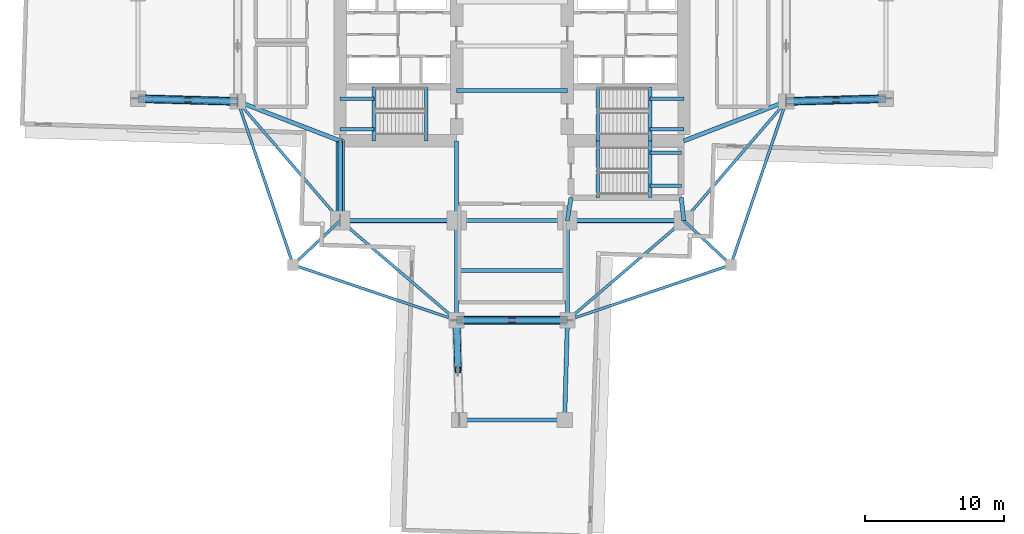
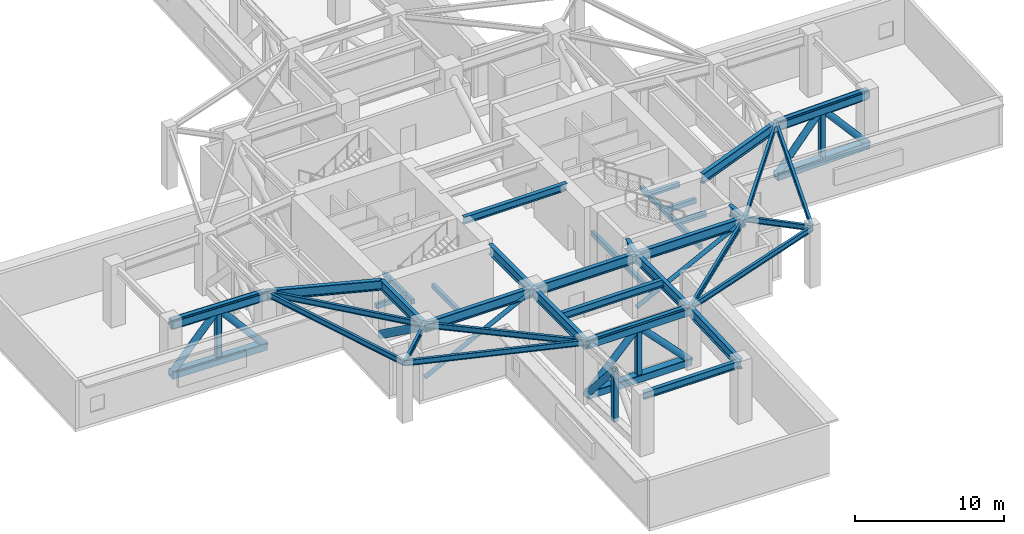
# One storey, part 2 of 17: 40 beams, 20 members.
"""IFC4 building model written with IfcOpenShell, lengths in metres."""

from ifc_helpers import new_model, si_unit, direction, frame, origin, origin_2d, place, context, subcontext, project, spatial, rectangle, hollow_rectangle, hollow_circle, i_section, extrude, material, material_profile, profile_set, type_object, element, save


model = new_model("IFC4")

# Units and contexts
model_context = context("Model", 3, precision=1e-05, world=origin(), true_north=direction((0.0, 1.0)))
body_context = subcontext(model_context, "Body", "Model", "MODEL_VIEW")
ifc_project = project(units=[si_unit("LENGTHUNIT", "METRE"), si_unit("AREAUNIT", "SQUARE_METRE"), si_unit("VOLUMEUNIT", "CUBIC_METRE"), si_unit("PLANEANGLEUNIT", "RADIAN"), si_unit("MASSUNIT", "GRAM", prefix="KILO")], contexts=[model_context])

# Site, building, storey
site_placement = place(None, origin())
site = spatial("IfcSite", under=ifc_project, at=site_placement, CompositionType="ELEMENT")
building_placement = place(site_placement, origin())
building = spatial("IfcBuilding", under=site, at=building_placement, Name="Qingluan Cross Belvedere", CompositionType="ELEMENT")
storey_placement = place(building_placement, frame((0.0, 0.0, 95.10009765625)))
storey = spatial("IfcBuildingStorey", under=building, at=storey_placement, Name="L24", CompositionType="ELEMENT", Elevation=95.10009765625)

# Beams
ifc_material_1 = material(Name="Concrete C45", Category="concrete")
ifc_material_profile_1 = material_profile(ifc_material_1, rectangle(XDim=0.25, YDim=0.39990234375, at=origin_2d()), Name="RC250x400")
ifc_profile_set_1 = profile_set([ifc_material_profile_1], Name="Concrete C45")
beam_type_1 = type_object("IfcBeamType", Name="RC_Lintel_RC250x400", PredefinedType="LINTEL", material=ifc_profile_set_1)
for number, where, z_axis, x_axis, name in (
    (1, (-6.179931640625, -6.85009765625, -0.2001953125), (0.0, 1.0, 0.0), (-1.0, 0.0, 0.0), "Stair ST1 landing beam L24"),
    (2, (6.179931640625, -6.85009765625, -0.2001953125), (0.0, 1.0, 0.0), (-1.0, 0.0, 0.0), "Stair ST2 landing beam L24"),
):
    element("IfcBeam", number, at=place(storey_placement, frame(where, z_axis=z_axis, x_axis=x_axis)), inside=storey, type_object=beam_type_1, Name=name, PredefinedType="LINTEL", context=body_context, shape_type="SweptSolid", body=[
        extrude(rectangle(XDim=0.25, YDim=0.39990234375, at=origin_2d()), origin(), (0.0, 0.0, 1.0), 3.89013671875),
    ])
beam_1_placement = place(storey_placement, frame((6.179931640625, -10.93994140625, -0.2001953125), z_axis=(0.0, 1.0, 0.0), x_axis=(-1.0, 0.0, 0.0)))
element("IfcBeam", 3, at=beam_1_placement, inside=storey, type_object=beam_type_1, Name="Stair ST4 landing beam L24", PredefinedType="LINTEL", context=body_context, shape_type="SweptSolid", body=[
    extrude(rectangle(XDim=0.25, YDim=0.39990234375, at=origin_2d()), origin(), (0.0, 0.0, 1.0), 4.08984375),
])
beam_2_placement = place(storey_placement, frame((-9.969970703125, -6.85009765625, 2.14990234375), z_axis=(0.0, 1.0, 0.0), x_axis=(-1.0, 0.0, 0.0)))
element("IfcBeam", 4, at=beam_2_placement, inside=storey, type_object=beam_type_1, Name="Stair ST1 beam A L24", PredefinedType="LINTEL", context=body_context, shape_type="SweptSolid", body=[
    extrude(rectangle(XDim=0.25, YDim=0.39990234375, at=origin_2d()), origin(), (0.0, 0.0, 1.0), 3.89013671875),
])
for number, where, z_axis, x_axis, name in (
    (5, (-12.39990234375, -6.0, 2.14990234375), (1.0, 0.0, 0.0), (0.0, 1.0, 0.0), "Stair ST1 beam B L24"),
    (6, (-12.39990234375, -3.81005859375, 2.14990234375), (1.0, 0.0, 0.0), (0.0, 1.0, 0.0), "Stair ST1 beam C L24"),
):
    element("IfcBeam", number, at=place(storey_placement, frame(where, z_axis=z_axis, x_axis=x_axis)), inside=storey, type_object=beam_type_1, Name=name, PredefinedType="LINTEL", context=body_context, shape_type="SweptSolid", body=[
        extrude(rectangle(XDim=0.25, YDim=0.39990234375, at=origin_2d()), origin(), (0.0, 0.0, 1.0), 2.429931640625),
    ])
beam_3_placement = place(storey_placement, frame((9.969970703125, -6.85009765625, 2.14990234375), z_axis=(0.0, 1.0, 0.0), x_axis=(-1.0, 0.0, 0.0)))
element("IfcBeam", 7, at=beam_3_placement, inside=storey, type_object=beam_type_1, Name="Stair ST2 beam A L24", PredefinedType="LINTEL", context=body_context, shape_type="SweptSolid", body=[
    extrude(rectangle(XDim=0.25, YDim=0.39990234375, at=origin_2d()), origin(), (0.0, 0.0, 1.0), 3.89013671875),
])
for number, where, z_axis, x_axis, name in (
    (8, (12.39990234375, -6.0, 2.14990234375), (-1.0, 0.0, 0.0), (0.0, -1.0, 0.0), "Stair ST2 beam B L24"),
    (9, (12.39990234375, -3.81005859375, 2.14990234375), (-1.0, 0.0, 0.0), (0.0, -1.0, 0.0), "Stair ST2 beam C L24"),
):
    element("IfcBeam", number, at=place(storey_placement, frame(where, z_axis=z_axis, x_axis=x_axis)), inside=storey, type_object=beam_type_1, Name=name, PredefinedType="LINTEL", context=body_context, shape_type="SweptSolid", body=[
        extrude(rectangle(XDim=0.25, YDim=0.39990234375, at=origin_2d()), origin(), (0.0, 0.0, 1.0), 2.429931640625),
    ])
beam_4_placement = place(storey_placement, frame((9.969970703125, -10.93994140625, 2.14990234375), z_axis=(0.0, 1.0, 0.0), x_axis=(-1.0, 0.0, 0.0)))
element("IfcBeam", 10, at=beam_4_placement, inside=storey, type_object=beam_type_1, Name="Stair ST4 beam A L24", PredefinedType="LINTEL", context=body_context, shape_type="SweptSolid", body=[
    extrude(rectangle(XDim=0.25, YDim=0.39990234375, at=origin_2d()), origin(), (0.0, 0.0, 1.0), 4.08984375),
])
for number, where, z_axis, x_axis, name in (
    (11, (12.219970703125, -10.090087890625, 2.14990234375), (-1.0, 0.0, 0.0), (0.0, -1.0, 0.0), "Stair ST4 beam B L24"),
    (12, (12.219970703125, -7.699951171875, 2.14990234375), (-1.0, 0.0, 0.0), (0.0, -1.0, 0.0), "Stair ST4 beam C L24"),
):
    element("IfcBeam", number, at=place(storey_placement, frame(where, z_axis=z_axis, x_axis=x_axis)), inside=storey, type_object=beam_type_1, Name=name, PredefinedType="LINTEL", context=body_context, shape_type="SweptSolid", body=[
        extrude(rectangle(XDim=0.25, YDim=0.39990234375, at=origin_2d()), origin(), (0.0, 0.0, 1.0), 2.25),
    ])

# Members
ifc_material_2 = material(Name="Steel Q420GJB", Category="steel")
ifc_material_profile_2 = material_profile(ifc_material_2, hollow_circle(Radius=0.25390625, WallThickness=0.02197265625, at=origin_2d()), Name="CHS508x22")
ifc_profile_set_2 = profile_set([ifc_material_profile_2], Name="Steel Q420GJB")
member_type_1 = type_object("IfcMemberType", Name="SteelMember_BRACE_CHS508x22", PredefinedType="BRACE", material=ifc_profile_set_2)
for number, where, z_axis, x_axis, name in (
    (13, (-4.0, -19.800048828125, 0.349853515625), (0.6939623188, 0.0, 0.720011319415), (0.0, 1.0, 0.0), "Belt truss diagonal A L24-S"),
    (14, (4.0, -19.800048828125, 0.349853515625), (-0.6939623188, 0.0, 0.720011319415), (0.0, -1.0, 0.0), "Belt truss diagonal B L24-S"),
):
    element("IfcMember", number, at=place(storey_placement, frame(where, z_axis=z_axis, x_axis=x_axis)), inside=storey, type_object=member_type_1, Name=name, PredefinedType="BRACE", context=body_context, shape_type="SweptSolid", body=[
        extrude(hollow_circle(Radius=0.25390625, WallThickness=0.02197265625, at=origin_2d()), origin(), (0.0, 0.0, 1.0), 5.763916015625),
    ])
for number, where, z_axis, x_axis, name in (
    (15, (19.800048828125, -4.0, 0.349853515625), (0.655139811939, 0.018216841159, 0.755288006995), (-0.027795292699, 0.999613636213, 0.0), "Belt truss diagonal A L24-EE"),
    (16, (27.0, -3.800048828125, 0.349853515625), (-0.655165701478, -0.018171895558, 0.755266632268), (0.027725672588, -0.999615569646, 0.0), "Belt truss diagonal B L24-EE"),
    (17, (-19.800048828125, -4.0, 0.349853515625), (-0.655139811939, 0.018216841159, 0.755288006995), (-0.027795292699, -0.999613636213, 0.0), "Belt truss diagonal A L24-WW"),
    (18, (-27.0, -3.800048828125, 0.349853515625), (0.655165701478, -0.018171895558, 0.755266632268), (0.027725672588, 0.999615569646, 0.0), "Belt truss diagonal B L24-WW"),
    (19, (-4.0, -19.800048828125, 0.349853515625), (0.018216841159, -0.655139811939, 0.755288006995), (0.999613636213, 0.027795292699, 0.0), "Belt truss diagonal A L24-SS"),
):
    element("IfcMember", number, at=place(storey_placement, frame(where, z_axis=z_axis, x_axis=x_axis)), inside=storey, type_object=member_type_1, Name=name, PredefinedType="BRACE", context=body_context, shape_type="SweptSolid", body=[
        extrude(hollow_circle(Radius=0.25390625, WallThickness=0.02197265625, at=origin_2d()), origin(), (0.0, 0.0, 1.0), 5.494873046875),
    ])
ifc_material_3 = material(Name="Steel Q420GJB", Category="steel")
ifc_material_profile_3 = material_profile(ifc_material_3, hollow_circle(Radius=0.304931640625, WallThickness=0.028076171875, at=origin_2d()), Name="CHS610x28")
ifc_profile_set_3 = profile_set([ifc_material_profile_3], Name="Steel Q420GJB")
member_type_2 = type_object("IfcMemberType", Name="SteelMember_BRACE_CHS610x28", PredefinedType="BRACE", material=ifc_profile_set_3)
member_placement = place(storey_placement, frame((-12.39990234375, -6.85009765625, 0.349853515625), z_axis=(0.0, -0.810855313774, 0.585246666052), x_axis=(1.0, 0.0, 0.0)))
element("IfcMember", 20, at=member_placement, inside=storey, type_object=member_type_2, Name="Outrigger truss diagonal L24-OWS", PredefinedType="BRACE", context=body_context, shape_type="SweptSolid", body=[
    extrude(hollow_circle(Radius=0.304931640625, WallThickness=0.028076171875, at=origin_2d()), origin(), (0.0, 0.0, 1.0), 7.09130859375),
])
ifc_material_4 = material(Name="Steel Q420GJB", Category="steel")
ifc_material_profile_4 = material_profile(ifc_material_4, hollow_rectangle(XDim=0.60009765625, YDim=0.60009765625, WallThickness=0.028076171875, InnerFilletRadius=0.028076171875, OuterFilletRadius=0.055908203125, at=origin_2d()), Name="RHS600x600x28")
ifc_profile_set_4 = profile_set([ifc_material_profile_4], Name="Steel Q420GJB")
member_type_3 = type_object("IfcMemberType", Name="SteelMember_CHORD_RHS600x600x28", PredefinedType="CHORD", material=ifc_profile_set_4)
for number, where, z_axis, x_axis, name in (
    (21, (-4.0, -19.800048828125, 0.349853515625), (1.0, 0.0, 0.0), (0.0, 1.0, 0.0), "Belt truss bottom chord L24-S"),
    (22, (-4.0, -19.800048828125, 4.5), (1.0, 0.0, 0.0), (0.0, 1.0, 0.0), "Belt truss top chord L24-S"),
):
    element("IfcMember", number, at=place(storey_placement, frame(where, z_axis=z_axis, x_axis=x_axis)), inside=storey, type_object=member_type_3, Name=name, PredefinedType="CHORD", context=body_context, shape_type="SweptSolid", body=[
        extrude(hollow_rectangle(XDim=0.60009765625, YDim=0.60009765625, WallThickness=0.028076171875, InnerFilletRadius=0.028076171875, OuterFilletRadius=0.055908203125, at=origin_2d()), origin(), (0.0, 0.0, 1.0), 8.0),
    ])
for number, where, z_axis, x_axis, name in (
    (23, (19.800048828125, -4.0, 0.349853515625), (0.999614603568, 0.027760481514, 0.0), (-0.027760481514, 0.999614603568, 0.0), "Belt truss bottom chord L24-EE"),
    (24, (19.800048828125, -4.0, 4.5), (0.999614603568, 0.027760481514, 0.0), (-0.027760481514, 0.999614603568, 0.0), "Belt truss top chord L24-EE"),
    (25, (-19.800048828125, -4.0, 0.349853515625), (-0.999614603568, 0.027760481514, 0.0), (-0.027760481514, -0.999614603568, 0.0), "Belt truss bottom chord L24-WW"),
    (26, (-19.800048828125, -4.0, 4.5), (-0.999614603568, 0.027760481514, 0.0), (-0.027760481514, -0.999614603568, 0.0), "Belt truss top chord L24-WW"),
):
    element("IfcMember", number, at=place(storey_placement, frame(where, z_axis=z_axis, x_axis=x_axis)), inside=storey, type_object=member_type_3, Name=name, PredefinedType="CHORD", context=body_context, shape_type="SweptSolid", body=[
        extrude(hollow_rectangle(XDim=0.60009765625, YDim=0.60009765625, WallThickness=0.028076171875, InnerFilletRadius=0.028076171875, OuterFilletRadius=0.055908203125, at=origin_2d()), origin(), (0.0, 0.0, 1.0), 7.20263671875),
    ])
ifc_material_5 = material(Name="Steel Q420GJB", Category="steel")
ifc_material_profile_5 = material_profile(ifc_material_5, hollow_rectangle(XDim=0.39990234375, YDim=0.39990234375, WallThickness=0.02001953125, InnerFilletRadius=0.02001953125, OuterFilletRadius=0.0400390625, at=origin_2d()), Name="RHS400x400x20")
ifc_profile_set_5 = profile_set([ifc_material_profile_5], Name="Steel Q420GJB")
member_type_4 = type_object("IfcMemberType", Name="SteelMember_POST_RHS400x400x20", PredefinedType="POST", material=ifc_profile_set_5)
for number, where, z_axis, x_axis, name in (
    (27, (0.0, -19.800048828125, 0.349853515625), (0.0, 0.0, 1.0), (1.0, 0.0, 0.0), "Belt truss mid-post L24-S"),
    (28, (23.39990234375, -3.89990234375, 0.349853515625), (0.0, 0.0, 1.0), (1.0, 0.0, 0.0), "Belt truss mid-post L24-EE"),
    (29, (-23.39990234375, -3.89990234375, 0.349853515625), (0.0, 0.0, 1.0), (1.0, 0.0, 0.0), "Belt truss mid-post L24-WW"),
    (30, (-3.89990234375, -23.39990234375, 0.349853515625), (0.0, 0.0, 1.0), (1.0, 0.0, 0.0), "Belt truss mid-post L24-SS"),
):
    element("IfcMember", number, at=place(storey_placement, frame(where, z_axis=z_axis, x_axis=x_axis)), inside=storey, type_object=member_type_4, Name=name, PredefinedType="POST", context=body_context, shape_type="SweptSolid", body=[
        extrude(hollow_rectangle(XDim=0.39990234375, YDim=0.39990234375, WallThickness=0.02001953125, InnerFilletRadius=0.02001953125, OuterFilletRadius=0.0400390625, at=origin_2d()), origin(), (0.0, 0.0, 1.0), 4.150146484375),
    ])
ifc_material_6 = material(Name="Steel Q420GJB", Category="steel")
ifc_material_profile_6 = material_profile(ifc_material_6, hollow_circle(Radius=0.16259765625, WallThickness=0.013916015625, at=origin_2d()), Name="CHS325x14")
ifc_profile_set_6 = profile_set([ifc_material_profile_6], Name="Steel Q420GJB")
member_type_5 = type_object("IfcMemberType", Name="SteelMember_STRUT_CHS325x14", PredefinedType="STRUT", material=ifc_profile_set_6)
for number, where, z_axis, x_axis, name in (
    (31, (-12.39990234375, -12.60009765625, 0.2998046875), (0.892290477913, 0.0, 0.45146174038), (0.0, 1.0, 0.0), "Refuge hub lateral strut L24-SW"),
    (32, (4.0, -12.60009765625, 0.2998046875), (0.892290477913, 0.0, 0.45146174038), (0.0, 1.0, 0.0), "Refuge hub lateral strut L24-SE"),
):
    element("IfcMember", number, at=place(storey_placement, frame(where, z_axis=z_axis, x_axis=x_axis)), inside=storey, type_object=member_type_5, Name=name, PredefinedType="STRUT", context=body_context, shape_type="SweptSolid", body=[
        extrude(hollow_circle(Radius=0.16259765625, WallThickness=0.013916015625, at=origin_2d()), origin(), (0.0, 0.0, 1.0), 9.413818359375),
    ])

# Beams
ifc_material_7 = material(Name="Steel Q420GJB", Category="steel")
ifc_material_profile_7 = material_profile(ifc_material_7, i_section(OverallWidth=0.300048828125, OverallDepth=0.587890625, WebThickness=0.011962890625, FlangeThickness=0.02001953125, FilletRadius=0.02392578125, at=origin_2d()), Name="HM588x300x12x20")
ifc_profile_set_7 = profile_set([ifc_material_profile_7], Name="Steel Q420GJB")
beam_type_2 = type_object("IfcBeamType", Name="Steel_Beam_HM588x300x12x20", PredefinedType="BEAM", material=ifc_profile_set_7)
for number, where, z_axis, x_axis, name in (
    (33, (-4.0, -3.199951171875, 4.555908203125), (1.0, 0.0, 0.0), (0.0, 1.0, 0.0), "Hall beam L24-CH1"),
    (34, (-4.0, -19.800048828125, 4.555908203125), (1.0, 0.0, 0.0), (0.0, 1.0, 0.0), "Arm S tie L24"),
    (35, (-4.0, -16.199951171875, 4.555908203125), (1.0, 0.0, 0.0), (0.0, 1.0, 0.0), "Arm S beam L24"),
):
    element("IfcBeam", number, at=place(storey_placement, frame(where, z_axis=z_axis, x_axis=x_axis)), inside=storey, type_object=beam_type_2, Name=name, PredefinedType="BEAM", context=body_context, shape_type="SweptSolid", body=[
        extrude(i_section(OverallWidth=0.300048828125, OverallDepth=0.587890625, WebThickness=0.011962890625, FlangeThickness=0.02001953125, FilletRadius=0.02392578125, at=origin_2d()), origin(), (0.0, 0.0, 1.0), 8.0),
    ])
beam_5_placement = place(storey_placement, frame((-3.800048828125, -27.0, 4.555908203125), z_axis=(1.0, 0.0, 0.0), x_axis=(0.0, 1.0, 0.0)))
element("IfcBeam", 36, at=beam_5_placement, inside=storey, type_object=beam_type_2, Name="Arm S tip transverse beam L24", PredefinedType="BEAM", context=body_context, shape_type="SweptSolid", body=[
    extrude(i_section(OverallWidth=0.300048828125, OverallDepth=0.587890625, WebThickness=0.011962890625, FlangeThickness=0.02001953125, FilletRadius=0.02392578125, at=origin_2d()), origin(), (0.0, 0.0, 1.0), 7.60009765625),
])
ifc_material_8 = material(Name="Steel Q420GJB", Category="steel")
ifc_material_profile_8 = material_profile(ifc_material_8, i_section(OverallWidth=0.199951171875, OverallDepth=0.449951171875, WebThickness=0.009033203125, FlangeThickness=0.013916015625, FilletRadius=0.01611328125, at=origin_2d()), Name="HN450x200x9x14")
ifc_profile_set_8 = profile_set([ifc_material_profile_8], Name="Steel Q420GJB")
beam_type_3 = type_object("IfcBeamType", Name="Steel_Beam_HN450x200x9x14", PredefinedType="JOIST", material=ifc_profile_set_8)
beam_6_placement = place(storey_placement, frame((-12.39990234375, -12.60009765625, 4.625), z_axis=(-0.728219948308, -0.685343495546, 0.0), x_axis=(0.685343495546, -0.728219948308, 0.0)))
element("IfcBeam", 37, at=beam_6_placement, inside=storey, type_object=beam_type_3, Name="Corner beam 1 L24-RSW", PredefinedType="JOIST", context=body_context, shape_type="SweptSolid", body=[
    extrude(i_section(OverallWidth=0.199951171875, OverallDepth=0.449951171875, WebThickness=0.009033203125, FlangeThickness=0.013916015625, FilletRadius=0.01611328125, at=origin_2d()), origin(), (0.0, 0.0, 1.0), 4.669189453125),
])
for number, where, z_axis, x_axis, name in (
    (38, (-15.800048828125, -15.800048828125, 4.625), (0.947066283324, -0.321038089628, 0.0), (0.321038089628, 0.947066283324, 0.0), "Corner beam 2 L24-RSW"),
    (39, (-15.800048828125, -15.800048828125, 4.625), (-0.321038089628, 0.947066283324, 0.0), (-0.947066283324, -0.321038089628, 0.0), "Corner beam 3 L24-RSW"),
):
    element("IfcBeam", number, at=place(storey_placement, frame(where, z_axis=z_axis, x_axis=x_axis)), inside=storey, type_object=beam_type_3, Name=name, PredefinedType="JOIST", context=body_context, shape_type="SweptSolid", body=[
        extrude(i_section(OverallWidth=0.199951171875, OverallDepth=0.449951171875, WebThickness=0.009033203125, FlangeThickness=0.013916015625, FilletRadius=0.01611328125, at=origin_2d()), origin(), (0.0, 0.0, 1.0), 12.45947265625),
    ])
beam_7_placement = place(storey_placement, frame((-12.39990234375, -12.60009765625, 4.625), z_axis=(-0.652245077546, 0.75800815221, 0.0), x_axis=(-0.75800815221, -0.652245077546, 0.0)))
element("IfcBeam", 40, at=beam_7_placement, inside=storey, type_object=beam_type_3, Name="Corner beam 4 L24-RSW", PredefinedType="JOIST", context=body_context, shape_type="SweptSolid", body=[
    extrude(i_section(OverallWidth=0.199951171875, OverallDepth=0.449951171875, WebThickness=0.009033203125, FlangeThickness=0.013916015625, FilletRadius=0.01611328125, at=origin_2d()), origin(), (0.0, 0.0, 1.0), 11.345703125),
])
beam_8_placement = place(storey_placement, frame((-12.39990234375, -12.60009765625, 4.625), z_axis=(0.759255044656, -0.650793190779, 0.0), x_axis=(0.650793190779, 0.759255044656, 0.0)))
element("IfcBeam", 41, at=beam_8_placement, inside=storey, type_object=beam_type_3, Name="Corner beam 5 L24-RSW", PredefinedType="JOIST", context=body_context, shape_type="SweptSolid", body=[
    extrude(i_section(OverallWidth=0.199951171875, OverallDepth=0.449951171875, WebThickness=0.009033203125, FlangeThickness=0.013916015625, FilletRadius=0.01611328125, at=origin_2d()), origin(), (0.0, 0.0, 1.0), 11.063232421875),
])
beam_9_placement = place(storey_placement, frame((12.39990234375, -12.60009765625, 4.625), z_axis=(0.728219948308, -0.685343495546, 0.0), x_axis=(0.685343495546, 0.728219948308, 0.0)))
element("IfcBeam", 42, at=beam_9_placement, inside=storey, type_object=beam_type_3, Name="Corner beam 1 L24-RSE", PredefinedType="JOIST", context=body_context, shape_type="SweptSolid", body=[
    extrude(i_section(OverallWidth=0.199951171875, OverallDepth=0.449951171875, WebThickness=0.009033203125, FlangeThickness=0.013916015625, FilletRadius=0.01611328125, at=origin_2d()), origin(), (0.0, 0.0, 1.0), 4.669189453125),
])
for number, where, z_axis, x_axis, name in (
    (43, (15.800048828125, -15.800048828125, 4.625), (-0.947066283324, -0.321038089628, 0.0), (0.321038089628, -0.947066283324, 0.0), "Corner beam 2 L24-RSE"),
    (44, (15.800048828125, -15.800048828125, 4.625), (0.321038089628, 0.947066283324, 0.0), (-0.947066283324, 0.321038089628, 0.0), "Corner beam 3 L24-RSE"),
):
    element("IfcBeam", number, at=place(storey_placement, frame(where, z_axis=z_axis, x_axis=x_axis)), inside=storey, type_object=beam_type_3, Name=name, PredefinedType="JOIST", context=body_context, shape_type="SweptSolid", body=[
        extrude(i_section(OverallWidth=0.199951171875, OverallDepth=0.449951171875, WebThickness=0.009033203125, FlangeThickness=0.013916015625, FilletRadius=0.01611328125, at=origin_2d()), origin(), (0.0, 0.0, 1.0), 12.45947265625),
    ])
beam_10_placement = place(storey_placement, frame((12.39990234375, -12.60009765625, 4.625), z_axis=(0.652245077546, 0.75800815221, 0.0), x_axis=(-0.75800815221, 0.652245077546, 0.0)))
element("IfcBeam", 45, at=beam_10_placement, inside=storey, type_object=beam_type_3, Name="Corner beam 4 L24-RSE", PredefinedType="JOIST", context=body_context, shape_type="SweptSolid", body=[
    extrude(i_section(OverallWidth=0.199951171875, OverallDepth=0.449951171875, WebThickness=0.009033203125, FlangeThickness=0.013916015625, FilletRadius=0.01611328125, at=origin_2d()), origin(), (0.0, 0.0, 1.0), 11.345703125),
])
beam_11_placement = place(storey_placement, frame((12.39990234375, -12.60009765625, 4.625), z_axis=(-0.759255044656, -0.650793190779, 0.0), x_axis=(0.650793190779, -0.759255044656, 0.0)))
element("IfcBeam", 46, at=beam_11_placement, inside=storey, type_object=beam_type_3, Name="Corner beam 5 L24-RSE", PredefinedType="JOIST", context=body_context, shape_type="SweptSolid", body=[
    extrude(i_section(OverallWidth=0.199951171875, OverallDepth=0.449951171875, WebThickness=0.009033203125, FlangeThickness=0.013916015625, FilletRadius=0.01611328125, at=origin_2d()), origin(), (0.0, 0.0, 1.0), 11.063232421875),
])
ifc_material_9 = material(Name="Steel Q420GJB", Category="steel")
ifc_material_profile_9 = material_profile(ifc_material_9, i_section(OverallWidth=0.305908203125, OverallDepth=0.81396484375, WebThickness=0.02099609375, FlangeThickness=0.0400390625, FilletRadius=0.030029296875, at=origin_2d()), Name="HEM800")
ifc_profile_set_9 = profile_set([ifc_material_profile_9], Name="Steel Q420GJB")
beam_type_4 = type_object("IfcBeamType", Name="Steel_Girder_HEM800", PredefinedType="USERDEFINED", material=ifc_profile_set_9)
beam_12_placement = place(storey_placement, frame((-12.39990234375, -12.60009765625, 4.44287109375), z_axis=(1.0, 0.0, 0.0), x_axis=(0.0, 1.0, 0.0)))
element("IfcBeam", 47, at=beam_12_placement, inside=storey, type_object=beam_type_4, Name="Hub girder L24-HG-S1", ObjectType="GIRDER", PredefinedType="USERDEFINED", context=body_context, shape_type="SweptSolid", body=[
    extrude(i_section(OverallWidth=0.305908203125, OverallDepth=0.81396484375, WebThickness=0.02099609375, FlangeThickness=0.0400390625, FilletRadius=0.030029296875, at=origin_2d()), origin(), (0.0, 0.0, 1.0), 8.39990234375),
])
beam_13_placement = place(storey_placement, frame((-4.0, -12.60009765625, 4.44287109375), z_axis=(1.0, 0.0, 0.0), x_axis=(0.0, 1.0, 0.0)))
element("IfcBeam", 48, at=beam_13_placement, inside=storey, type_object=beam_type_4, Name="Hub girder L24-HG-S2", ObjectType="GIRDER", PredefinedType="USERDEFINED", context=body_context, shape_type="SweptSolid", body=[
    extrude(i_section(OverallWidth=0.305908203125, OverallDepth=0.81396484375, WebThickness=0.02099609375, FlangeThickness=0.0400390625, FilletRadius=0.030029296875, at=origin_2d()), origin(), (0.0, 0.0, 1.0), 8.0),
])
beam_14_placement = place(storey_placement, frame((4.0, -12.60009765625, 4.44287109375), z_axis=(1.0, 0.0, 0.0), x_axis=(0.0, 1.0, 0.0)))
element("IfcBeam", 49, at=beam_14_placement, inside=storey, type_object=beam_type_4, Name="Hub girder L24-HG-S3", ObjectType="GIRDER", PredefinedType="USERDEFINED", context=body_context, shape_type="SweptSolid", body=[
    extrude(i_section(OverallWidth=0.305908203125, OverallDepth=0.81396484375, WebThickness=0.02099609375, FlangeThickness=0.0400390625, FilletRadius=0.030029296875, at=origin_2d()), origin(), (0.0, 0.0, 1.0), 8.39990234375),
])
beam_15_placement = place(storey_placement, frame((-12.39990234375, -12.60009765625, 4.44287109375), z_axis=(0.0, 1.0, 0.0), x_axis=(-1.0, 0.0, 0.0)))
element("IfcBeam", 50, at=beam_15_placement, inside=storey, type_object=beam_type_4, Name="Hub girder L24-HG-W1", ObjectType="GIRDER", PredefinedType="USERDEFINED", context=body_context, shape_type="SweptSolid", body=[
    extrude(i_section(OverallWidth=0.305908203125, OverallDepth=0.81396484375, WebThickness=0.02099609375, FlangeThickness=0.0400390625, FilletRadius=0.030029296875, at=origin_2d()), origin(), (0.0, 0.0, 1.0), 5.75),
])
beam_16_placement = place(storey_placement, frame((12.39990234375, -12.60009765625, 4.44287109375), z_axis=(-0.107751337451, 0.994177876075, 0.0), x_axis=(-0.994177876075, -0.107751337451, 0.0)))
element("IfcBeam", 51, at=beam_16_placement, inside=storey, type_object=beam_type_4, Name="Hub girder L24-HG-E1", ObjectType="GIRDER", PredefinedType="USERDEFINED", context=body_context, shape_type="SweptSolid", body=[
    extrude(i_section(OverallWidth=0.305908203125, OverallDepth=0.81396484375, WebThickness=0.02099609375, FlangeThickness=0.0400390625, FilletRadius=0.030029296875, at=origin_2d()), origin(), (0.0, 0.0, 1.0), 1.669921875),
])
beam_17_placement = place(storey_placement, frame((-4.0, -12.60009765625, 4.44287109375), z_axis=(0.0, 1.0, 0.0), x_axis=(-1.0, 0.0, 0.0)))
element("IfcBeam", 52, at=beam_17_placement, inside=storey, type_object=beam_type_4, Name="Hub girder L24-HG-CW", ObjectType="GIRDER", PredefinedType="USERDEFINED", context=body_context, shape_type="SweptSolid", body=[
    extrude(i_section(OverallWidth=0.305908203125, OverallDepth=0.81396484375, WebThickness=0.02099609375, FlangeThickness=0.0400390625, FilletRadius=0.030029296875, at=origin_2d()), origin(), (0.0, 0.0, 1.0), 5.75),
])
beam_18_placement = place(storey_placement, frame((4.0, -12.60009765625, 4.44287109375), z_axis=(0.154731433337, 0.987956569662, 0.0), x_axis=(-0.987956569662, 0.154731433337, 0.0)))
element("IfcBeam", 53, at=beam_18_placement, inside=storey, type_object=beam_type_4, Name="Hub girder L24-HG-CE", ObjectType="GIRDER", PredefinedType="USERDEFINED", context=body_context, shape_type="SweptSolid", body=[
    extrude(i_section(OverallWidth=0.305908203125, OverallDepth=0.81396484375, WebThickness=0.02099609375, FlangeThickness=0.0400390625, FilletRadius=0.030029296875, at=origin_2d()), origin(), (0.0, 0.0, 1.0), 1.680419921875),
])
beam_19_placement = place(storey_placement, frame((12.39990234375, -6.85009765625, 4.44287109375), z_axis=(0.933181258889, 0.359406090735, 0.0), x_axis=(-0.359406090735, 0.933181258889, 0.0)))
element("IfcBeam", 54, at=beam_19_placement, inside=storey, type_object=beam_type_4, Name="Arm E radial girder A L24", ObjectType="GIRDER", PredefinedType="USERDEFINED", context=body_context, shape_type="SweptSolid", body=[
    extrude(i_section(OverallWidth=0.305908203125, OverallDepth=0.81396484375, WebThickness=0.02099609375, FlangeThickness=0.0400390625, FilletRadius=0.030029296875, at=origin_2d()), origin(), (0.0, 0.0, 1.0), 7.929931640625),
])
beam_20_placement = place(storey_placement, frame((19.800048828125, -4.0, 4.44287109375), z_axis=(0.999614603568, 0.027760481514, 0.0), x_axis=(-0.027760481514, 0.999614603568, 0.0)))
element("IfcBeam", 55, at=beam_20_placement, inside=storey, type_object=beam_type_4, Name="Arm E outer radial girder A L24", ObjectType="GIRDER", PredefinedType="USERDEFINED", context=body_context, shape_type="SweptSolid", body=[
    extrude(i_section(OverallWidth=0.305908203125, OverallDepth=0.81396484375, WebThickness=0.02099609375, FlangeThickness=0.0400390625, FilletRadius=0.030029296875, at=origin_2d()), origin(), (0.0, 0.0, 1.0), 7.20263671875),
])
beam_21_placement = place(storey_placement, frame((-12.39990234375, -6.85009765625, 4.44287109375), z_axis=(-0.933181258889, 0.359406090735, 0.0), x_axis=(-0.359406090735, -0.933181258889, 0.0)))
element("IfcBeam", 56, at=beam_21_placement, inside=storey, type_object=beam_type_4, Name="Arm W radial girder A L24", ObjectType="GIRDER", PredefinedType="USERDEFINED", context=body_context, shape_type="SweptSolid", body=[
    extrude(i_section(OverallWidth=0.305908203125, OverallDepth=0.81396484375, WebThickness=0.02099609375, FlangeThickness=0.0400390625, FilletRadius=0.030029296875, at=origin_2d()), origin(), (0.0, 0.0, 1.0), 7.929931640625),
])
beam_22_placement = place(storey_placement, frame((-19.800048828125, -4.0, 4.44287109375), z_axis=(-0.999614603568, 0.027760481514, 0.0), x_axis=(-0.027760481514, -0.999614603568, 0.0)))
element("IfcBeam", 57, at=beam_22_placement, inside=storey, type_object=beam_type_4, Name="Arm W outer radial girder A L24", ObjectType="GIRDER", PredefinedType="USERDEFINED", context=body_context, shape_type="SweptSolid", body=[
    extrude(i_section(OverallWidth=0.305908203125, OverallDepth=0.81396484375, WebThickness=0.02099609375, FlangeThickness=0.0400390625, FilletRadius=0.030029296875, at=origin_2d()), origin(), (0.0, 0.0, 1.0), 7.20263671875),
])
for number, where, z_axis, x_axis, name in (
    (58, (-4.0, -12.60009765625, 4.44287109375), (0.0, -1.0, 0.0), (1.0, 0.0, 0.0), "Arm S radial girder A L24"),
    (59, (4.0, -12.60009765625, 4.44287109375), (0.0, -1.0, 0.0), (1.0, 0.0, 0.0), "Arm S radial girder B L24"),
):
    element("IfcBeam", number, at=place(storey_placement, frame(where, z_axis=z_axis, x_axis=x_axis)), inside=storey, type_object=beam_type_4, Name=name, ObjectType="GIRDER", PredefinedType="USERDEFINED", context=body_context, shape_type="SweptSolid", body=[
        extrude(i_section(OverallWidth=0.305908203125, OverallDepth=0.81396484375, WebThickness=0.02099609375, FlangeThickness=0.0400390625, FilletRadius=0.030029296875, at=origin_2d()), origin(), (0.0, 0.0, 1.0), 7.199951171875),
    ])
beam_23_placement = place(storey_placement, frame((4.0, -19.800048828125, 4.44287109375), z_axis=(-0.027760481514, -0.999614603568, 0.0), x_axis=(0.999614603568, -0.027760481514, 0.0)))
element("IfcBeam", 60, at=beam_23_placement, inside=storey, type_object=beam_type_4, Name="Arm S outer radial girder B L24", ObjectType="GIRDER", PredefinedType="USERDEFINED", context=body_context, shape_type="SweptSolid", body=[
    extrude(i_section(OverallWidth=0.305908203125, OverallDepth=0.81396484375, WebThickness=0.02099609375, FlangeThickness=0.0400390625, FilletRadius=0.030029296875, at=origin_2d()), origin(), (0.0, 0.0, 1.0), 7.20263671875),
])

save(model, "model.ifc")
